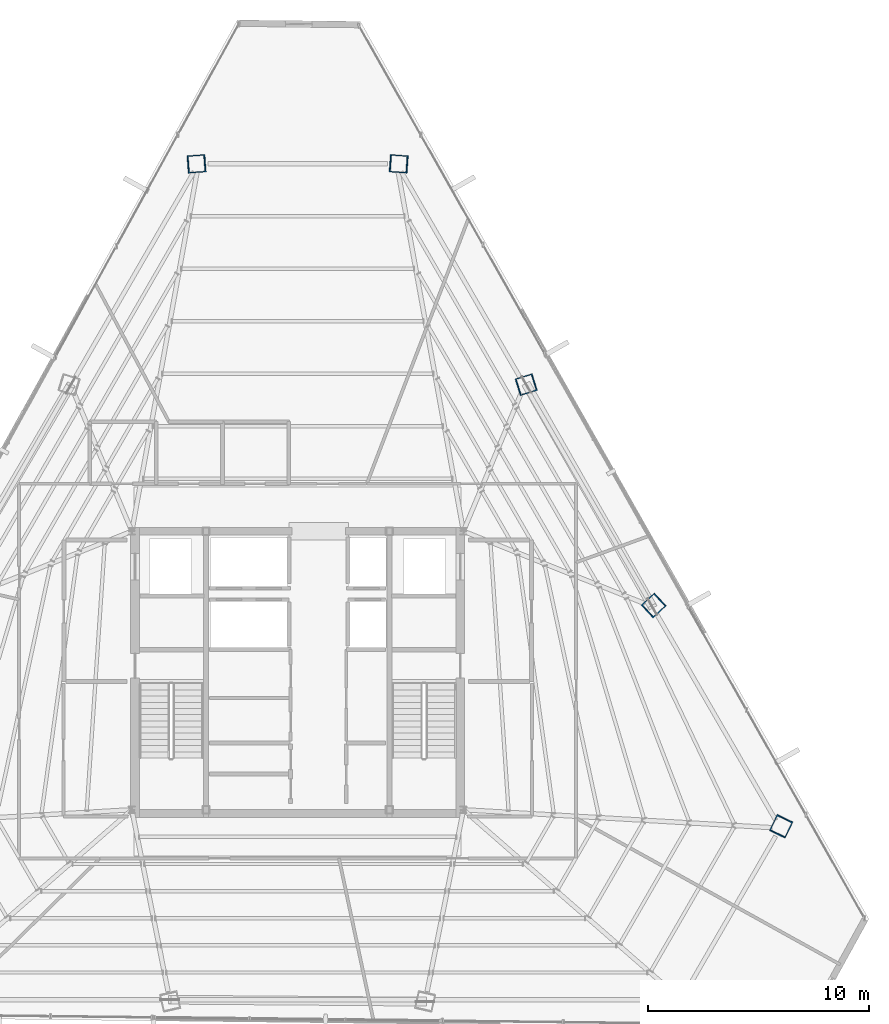
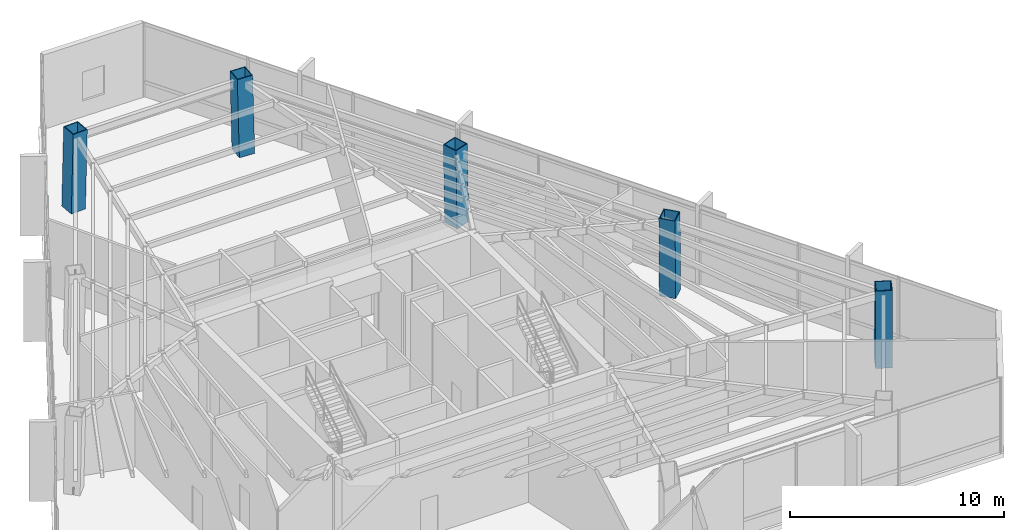
# One storey, part 2 of 37: 5 columns.
"""IFC4 building model written with IfcOpenShell, lengths in metres."""

from ifc_helpers import new_model, si_unit, direction, frame, origin, origin_2d, place, context, subcontext, project, spatial, hollow_rectangle, extrude, source, transform, mapped, material, material_profile, profile_set, type_object, type_shapes, element, save


model = new_model("IFC4")

# Units and contexts
model_context = context("Model", 3, precision=1e-05, world=origin(), true_north=direction((0.0, 1.0)))
body_context = subcontext(model_context, "Body", "Model", "MODEL_VIEW")
ifc_project = project(units=[si_unit("LENGTHUNIT", "METRE"), si_unit("AREAUNIT", "SQUARE_METRE"), si_unit("VOLUMEUNIT", "CUBIC_METRE"), si_unit("PLANEANGLEUNIT", "RADIAN"), si_unit("MASSUNIT", "GRAM", prefix="KILO")], contexts=[model_context])

# Site, building, storey
site_placement = place(None, origin())
site = spatial("IfcSite", under=ifc_project, at=site_placement, CompositionType="ELEMENT")
building_placement = place(site_placement, origin())
building = spatial("IfcBuilding", under=site, at=building_placement, Name="Caelisora Broadcast Tower", CompositionType="ELEMENT")
storey_placement = place(building_placement, frame((0.0, 0.0, 225.35009765625)))
storey = spatial("IfcBuildingStorey", under=building, at=storey_placement, Name="L59", CompositionType="ELEMENT", Elevation=225.35009765625)

# Columns
ifc_material = material(Name="Steel Grade 350 L15 (AS/NZS 3678)", Category="steel")
ifc_material_profile = material_profile(ifc_material, hollow_rectangle(XDim=0.800048828125, YDim=0.800048828125, WallThickness=0.044921875, at=origin_2d()), Name="Steel Grade 350 L15 (AS/NZS 3678)")
ifc_profile_set = profile_set([ifc_material_profile], Name="Steel Grade 350 L15 (AS/NZS 3678)")
column_type = type_object("IfcColumnType", Name="MC05", PredefinedType="COLUMN", material=ifc_profile_set)
shared_shape_1 = source(origin(), body_context, "Body", "SweptSolid", [
    extrude(hollow_rectangle(XDim=0.800048828125, YDim=0.800048828125, WallThickness=0.044921875, at=origin_2d()), origin(), (0.0, 0.0, 1.0), 4.501220703125),
])
for number, where, z_axis, x_axis, name in (
    (1, (42.587646484375, 46.6201171875, 0.0), (-0.023864693146, 0.001735614047, 0.999713691046), (-0.072535695779, -0.997365816959, 0.0), "L59 column MC05"),
    (2, (33.412353515625, 46.6201171875, 0.0), (0.023864693146, 0.001735614047, 0.999713691046), (-0.072535695779, 0.997365816959, 0.0), "L59 column MC05"),
    (3, (59.88330078125, 16.6630859375, 0.0), (-0.010413674417, -0.021586679261, 0.999712744074), (0.900673807124, -0.434495906954, 0.0), "L59 column MC05"),
):
    element("IfcColumn", number, at=place(storey_placement, frame(where, z_axis=z_axis, x_axis=x_axis)), inside=storey, type_object=column_type, Name=name, PredefinedType="COLUMN", context=body_context, shape_type="MappedRepresentation", body=[
        mapped(shared_shape_1, transform((0.0, 0.0, 0.0), scale=1.0)),
    ])
shared_shape_2 = source(origin(), body_context, "Body", "SweptSolid", [
    extrude(hollow_rectangle(XDim=0.800048828125, YDim=0.800048828125, WallThickness=0.044921875, at=origin_2d()), origin(), (0.0, 0.0, 1.0), 4.5009765625),
])
type_shapes(column_type, [shared_shape_1, shared_shape_2])
for number, where, z_axis, x_axis, name in (
    (4, (54.1181640625, 26.648681640625, 0.0), (-0.01491662865, -0.013777540644, 0.999793815526), (0.678501966239, -0.734598585494, 0.0), "L59 column MC05"),
    (5, (48.352783203125, 36.634521484375, 0.0), (-0.01936450667, -0.006020897032, 0.999794361197), (0.296903964172, -0.954907344227, 0.0), "L59 column MC05"),
):
    element("IfcColumn", number, at=place(storey_placement, frame(where, z_axis=z_axis, x_axis=x_axis)), inside=storey, type_object=column_type, Name=name, PredefinedType="COLUMN", context=body_context, shape_type="MappedRepresentation", body=[
        mapped(shared_shape_2, transform((0.0, 0.0, 0.0), scale=1.0)),
    ])

save(model, "model.ifc")
